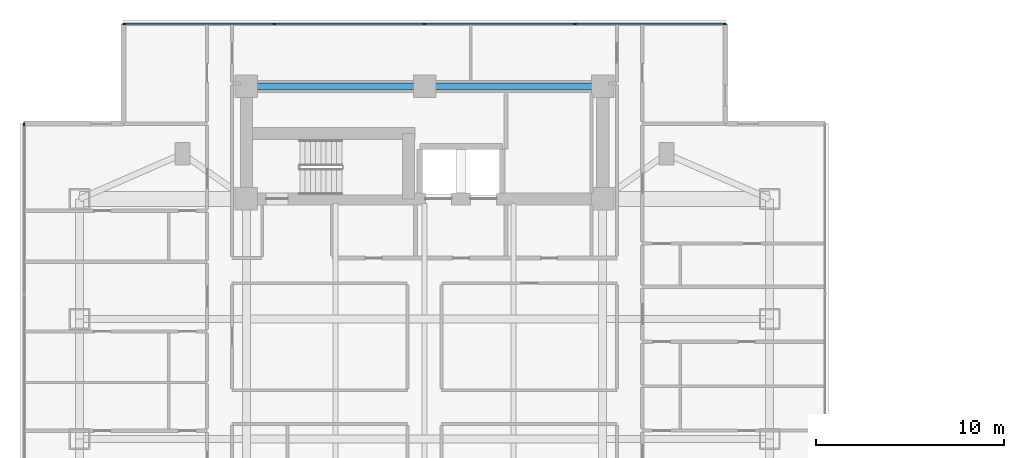
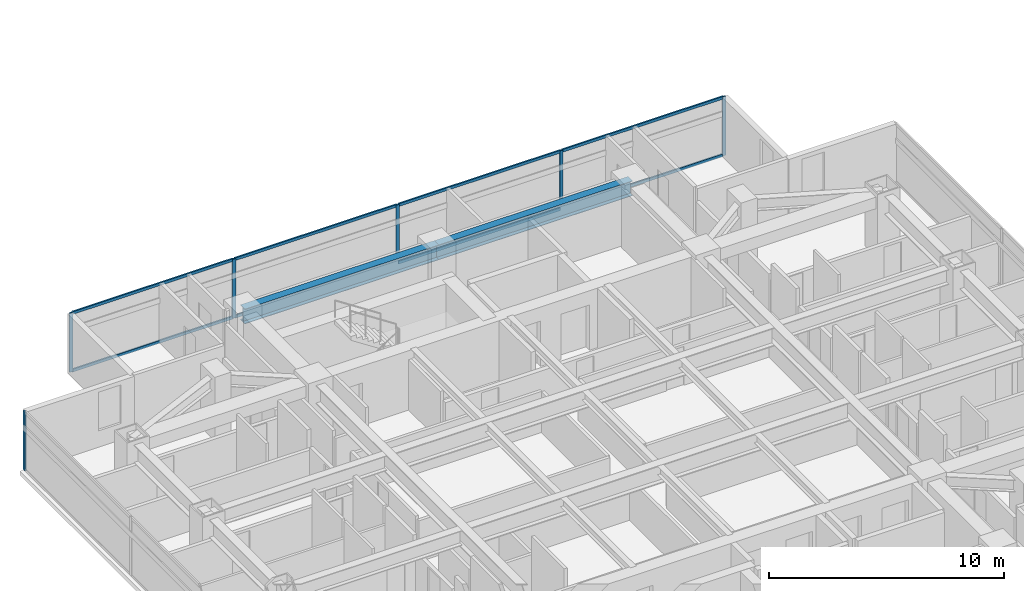
# One storey, part 6 of 24: 14 members, 2 beams, 2 elements without a shape of their own.
"""IFC4 building model written with IfcOpenShell, lengths in metres."""

from ifc_helpers import new_model, si_unit, direction, frame, origin, origin_2d, place, context, subcontext, project, spatial, rectangle, i_section, extrude, material, material_profile, profile_set, type_object, element, aggregate, save


model = new_model("IFC4")

# Units and contexts
model_context = context("Model", 3, precision=1e-05, world=origin(), true_north=direction((0.0, 1.0)))
body_context = subcontext(model_context, "Body", "Model", "MODEL_VIEW")
ifc_project = project(units=[si_unit("LENGTHUNIT", "METRE"), si_unit("AREAUNIT", "SQUARE_METRE"), si_unit("VOLUMEUNIT", "CUBIC_METRE"), si_unit("PLANEANGLEUNIT", "RADIAN"), si_unit("MASSUNIT", "GRAM", prefix="KILO")], contexts=[model_context])

# Site, building, storey
site_placement = place(None, origin())
site = spatial("IfcSite", under=ifc_project, at=site_placement, CompositionType="ELEMENT")
building_placement = place(site_placement, origin())
building = spatial("IfcBuilding", under=site, at=building_placement, Name="Mirazonda Arch Towers", CompositionType="ELEMENT")
storey_placement = place(building_placement, frame((0.0, 0.0, 101.60009765625)))
storey = spatial("IfcBuildingStorey", under=building, at=storey_placement, Name="L28", CompositionType="ELEMENT", Elevation=101.60009765625)

# Beams
ifc_material_1 = material(Name="Steel ASTM A992 Grade 50", Category="steel")
ifc_material_profile_1 = material_profile(ifc_material_1, i_section(OverallWidth=0.381103515625, OverallDepth=0.77294921875, WebThickness=0.0166015625, FlangeThickness=0.027099609375, at=origin_2d()), Name="W30X173")
ifc_profile_set_1 = profile_set([ifc_material_profile_1], Name="Steel ASTM A992 Grade 50")
beam_type = type_object("IfcBeamType", Name="BM-INT-W30X173", PredefinedType="USERDEFINED", material=ifc_profile_set_1)
for number, where, z_axis, x_axis, name in (
    (1, (11.0, 43.60009765625, 2.693359375), (1.0, 0.0, 0.0), (0.0, 1.0, 0.0), "L28 Floor Beam BM-T1-L28-CN1"),
    (2, (20.5, 43.60009765625, 2.693359375), (1.0, 0.0, 0.0), (0.0, 1.0, 0.0), "L28 Floor Beam BM-T1-L28-CN2"),
):
    element("IfcBeam", number, at=place(storey_placement, frame(where, z_axis=z_axis, x_axis=x_axis)), inside=storey, type_object=beam_type, Name=name, ObjectType="GIRDER", PredefinedType="USERDEFINED", context=body_context, shape_type="SweptSolid", body=[
        extrude(i_section(OverallWidth=0.381103515625, OverallDepth=0.77294921875, WebThickness=0.0166015625, FlangeThickness=0.027099609375, at=origin_2d()), origin(), (0.0, 0.0, 1.0), 9.5),
    ])

# Curtain wall, members
ifc_material_2 = material(Name="Anodised Aluminium and Low-E Glass", Category="aluminium")
curtain_wall_type = type_object("IfcCurtainWallType", Name="CW-HTL-UNIT", PredefinedType="NOTDEFINED", material=ifc_material_2)
curtain_wall_1_placement = place(storey_placement, origin())
curtain_wall_1 = element("IfcCurtainWall", 3, at=curtain_wall_1_placement, inside=storey, type_object=curtain_wall_type, Name="L28 T1 N Facade CW-L28-T1-N", PredefinedType="NOTDEFINED")
ifc_material_3 = material(Name="Anodised Aluminium Alloy", Category="aluminium")
ifc_material_profile_2 = material_profile(ifc_material_3, rectangle(XDim=0.074951171875, YDim=0.1650390625, at=origin_2d()), Name="ALU-MULL-75x165")
ifc_profile_set_2 = profile_set([ifc_material_profile_2], Name="Anodised Aluminium Alloy")
member_type_1 = type_object("IfcMemberType", Name="MULL-CW-HTL-UNIT", PredefinedType="MULLION", material=ifc_profile_set_2)
member_1_placement = place(storey_placement, frame((4.492431640625, 46.922119140625, 0.0), z_axis=(0.0, 0.0, 1.0), x_axis=(0.0, 1.0, 0.0)))
member_1 = element("IfcMember", 4, at=member_1_placement, type_object=member_type_1, Name="CW-112 mullion 1", PredefinedType="MULLION", context=body_context, shape_type="SweptSolid", body=[
    extrude(rectangle(XDim=0.074951171875, YDim=0.1650390625, at=origin_2d()), origin(), (0.0, 0.0, 1.0), 3.059814453125),
])
member_2_placement = place(storey_placement, frame((12.4775390625, 46.922119140625, 0.0), z_axis=(0.0, 0.0, 1.0), x_axis=(0.0, 1.0, 0.0)))
member_2 = element("IfcMember", 5, at=member_2_placement, type_object=member_type_1, Name="CW-112 mullion 2", PredefinedType="MULLION", context=body_context, shape_type="SweptSolid", body=[
    extrude(rectangle(XDim=0.074951171875, YDim=0.1650390625, at=origin_2d()), origin(), (0.0, 0.0, 1.0), 3.059814453125),
])
member_3_placement = place(storey_placement, frame((20.5, 46.922119140625, 0.0), z_axis=(0.0, 0.0, 1.0), x_axis=(0.0, 1.0, 0.0)))
member_3 = element("IfcMember", 6, at=member_3_placement, type_object=member_type_1, Name="CW-112 mullion 3", PredefinedType="MULLION", context=body_context, shape_type="SweptSolid", body=[
    extrude(rectangle(XDim=0.074951171875, YDim=0.1650390625, at=origin_2d()), origin(), (0.0, 0.0, 1.0), 3.059814453125),
])
member_4_placement = place(storey_placement, frame((28.5224609375, 46.922119140625, 0.0), z_axis=(0.0, 0.0, 1.0), x_axis=(0.0, 1.0, 0.0)))
member_4 = element("IfcMember", 7, at=member_4_placement, type_object=member_type_1, Name="CW-112 mullion 4", PredefinedType="MULLION", context=body_context, shape_type="SweptSolid", body=[
    extrude(rectangle(XDim=0.074951171875, YDim=0.1650390625, at=origin_2d()), origin(), (0.0, 0.0, 1.0), 3.059814453125),
])
member_5_placement = place(storey_placement, frame((36.507568359375, 46.922119140625, 0.0), z_axis=(0.0, 0.0, 1.0), x_axis=(0.0, 1.0, 0.0)))
member_5 = element("IfcMember", 8, at=member_5_placement, type_object=member_type_1, Name="CW-112 mullion 5", PredefinedType="MULLION", context=body_context, shape_type="SweptSolid", body=[
    extrude(rectangle(XDim=0.074951171875, YDim=0.1650390625, at=origin_2d()), origin(), (0.0, 0.0, 1.0), 3.059814453125),
])

# Curtain wall, member
curtain_wall_2_placement = place(storey_placement, origin())
curtain_wall_2 = element("IfcCurtainWall", 9, at=curtain_wall_2_placement, inside=storey, type_object=curtain_wall_type, Name="L28 T1 W Facade CW-L28-T1-W", PredefinedType="NOTDEFINED")
member_6_placement = place(storey_placement, frame((-0.85009765625, 41.57958984375, 0.0), z_axis=(0.0, 0.0, 1.0), x_axis=(1.0, 0.0, 0.0)))
member_6 = element("IfcMember", 10, at=member_6_placement, type_object=member_type_1, Name="CW-112 mullion 1", PredefinedType="MULLION", context=body_context, shape_type="SweptSolid", body=[
    extrude(rectangle(XDim=0.074951171875, YDim=0.1650390625, at=origin_2d()), origin(), (0.0, 0.0, 1.0), 3.059814453125),
])
aggregate(curtain_wall_2, [member_6])

# Member
ifc_material_profile_3 = material_profile(ifc_material_3, rectangle(XDim=0.074951171875, YDim=0.14501953125, at=origin_2d()), Name="ALU-TRAN-75x145")
ifc_profile_set_3 = profile_set([ifc_material_profile_3], Name="Anodised Aluminium Alloy")
member_type_2 = type_object("IfcMemberType", Name="TRAN-CW-HTL-UNIT", PredefinedType="USERDEFINED", material=ifc_profile_set_3)
member_7_placement = place(storey_placement, frame((4.530029296875, 46.922119140625, 0.037353515625), z_axis=(1.0, 0.0, 0.0), x_axis=(0.0, 1.0, 0.0)))
member_7 = element("IfcMember", 11, at=member_7_placement, type_object=member_type_2, Name="CW-112 transom 1.1", ObjectType="TRANSOM", PredefinedType="USERDEFINED", context=body_context, shape_type="SweptSolid", body=[
    extrude(rectangle(XDim=0.074951171875, YDim=0.14501953125, at=origin_2d()), origin(), (0.0, 0.0, 1.0), 7.909912109375),
])

member_8_placement = place(storey_placement, frame((4.530029296875, 46.922119140625, 3.0224609375), z_axis=(1.0, 0.0, 0.0), x_axis=(0.0, 1.0, 0.0)))
member_8 = element("IfcMember", 12, at=member_8_placement, type_object=member_type_2, Name="CW-112 transom 1.2", ObjectType="TRANSOM", PredefinedType="USERDEFINED", context=body_context, shape_type="SweptSolid", body=[
    extrude(rectangle(XDim=0.074951171875, YDim=0.14501953125, at=origin_2d()), origin(), (0.0, 0.0, 1.0), 7.909912109375),
])

member_9_placement = place(storey_placement, frame((12.514892578125, 46.922119140625, 0.037353515625), z_axis=(1.0, 0.0, 0.0), x_axis=(0.0, 1.0, 0.0)))
member_9 = element("IfcMember", 13, at=member_9_placement, type_object=member_type_2, Name="CW-112 transom 2.1", ObjectType="TRANSOM", PredefinedType="USERDEFINED", context=body_context, shape_type="SweptSolid", body=[
    extrude(rectangle(XDim=0.074951171875, YDim=0.14501953125, at=origin_2d()), origin(), (0.0, 0.0, 1.0), 7.947509765625),
])

member_10_placement = place(storey_placement, frame((12.514892578125, 46.922119140625, 3.0224609375), z_axis=(1.0, 0.0, 0.0), x_axis=(0.0, 1.0, 0.0)))
member_10 = element("IfcMember", 14, at=member_10_placement, type_object=member_type_2, Name="CW-112 transom 2.2", ObjectType="TRANSOM", PredefinedType="USERDEFINED", context=body_context, shape_type="SweptSolid", body=[
    extrude(rectangle(XDim=0.074951171875, YDim=0.14501953125, at=origin_2d()), origin(), (0.0, 0.0, 1.0), 7.947509765625),
])

member_11_placement = place(storey_placement, frame((20.53759765625, 46.922119140625, 0.037353515625), z_axis=(1.0, 0.0, 0.0), x_axis=(0.0, 1.0, 0.0)))
member_11 = element("IfcMember", 15, at=member_11_placement, type_object=member_type_2, Name="CW-112 transom 3.1", ObjectType="TRANSOM", PredefinedType="USERDEFINED", context=body_context, shape_type="SweptSolid", body=[
    extrude(rectangle(XDim=0.074951171875, YDim=0.14501953125, at=origin_2d()), origin(), (0.0, 0.0, 1.0), 7.947509765625),
])

member_12_placement = place(storey_placement, frame((20.53759765625, 46.922119140625, 3.0224609375), z_axis=(1.0, 0.0, 0.0), x_axis=(0.0, 1.0, 0.0)))
member_12 = element("IfcMember", 16, at=member_12_placement, type_object=member_type_2, Name="CW-112 transom 3.2", ObjectType="TRANSOM", PredefinedType="USERDEFINED", context=body_context, shape_type="SweptSolid", body=[
    extrude(rectangle(XDim=0.074951171875, YDim=0.14501953125, at=origin_2d()), origin(), (0.0, 0.0, 1.0), 7.947509765625),
])

member_13_placement = place(storey_placement, frame((28.56005859375, 46.922119140625, 0.037353515625), z_axis=(1.0, 0.0, 0.0), x_axis=(0.0, 1.0, 0.0)))
member_13 = element("IfcMember", 17, at=member_13_placement, type_object=member_type_2, Name="CW-112 transom 4.1", ObjectType="TRANSOM", PredefinedType="USERDEFINED", context=body_context, shape_type="SweptSolid", body=[
    extrude(rectangle(XDim=0.074951171875, YDim=0.14501953125, at=origin_2d()), origin(), (0.0, 0.0, 1.0), 7.909912109375),
])

member_14_placement = place(storey_placement, frame((28.56005859375, 46.922119140625, 3.0224609375), z_axis=(1.0, 0.0, 0.0), x_axis=(0.0, 1.0, 0.0)))
member_14 = element("IfcMember", 18, at=member_14_placement, type_object=member_type_2, Name="CW-112 transom 4.2", ObjectType="TRANSOM", PredefinedType="USERDEFINED", context=body_context, shape_type="SweptSolid", body=[
    extrude(rectangle(XDim=0.074951171875, YDim=0.14501953125, at=origin_2d()), origin(), (0.0, 0.0, 1.0), 7.909912109375),
])

aggregate(curtain_wall_1, [member_1, member_2, member_3, member_4, member_5, member_7, member_8, member_9, member_10, member_11, member_12, member_13, member_14])

save(model, "model.ifc")
